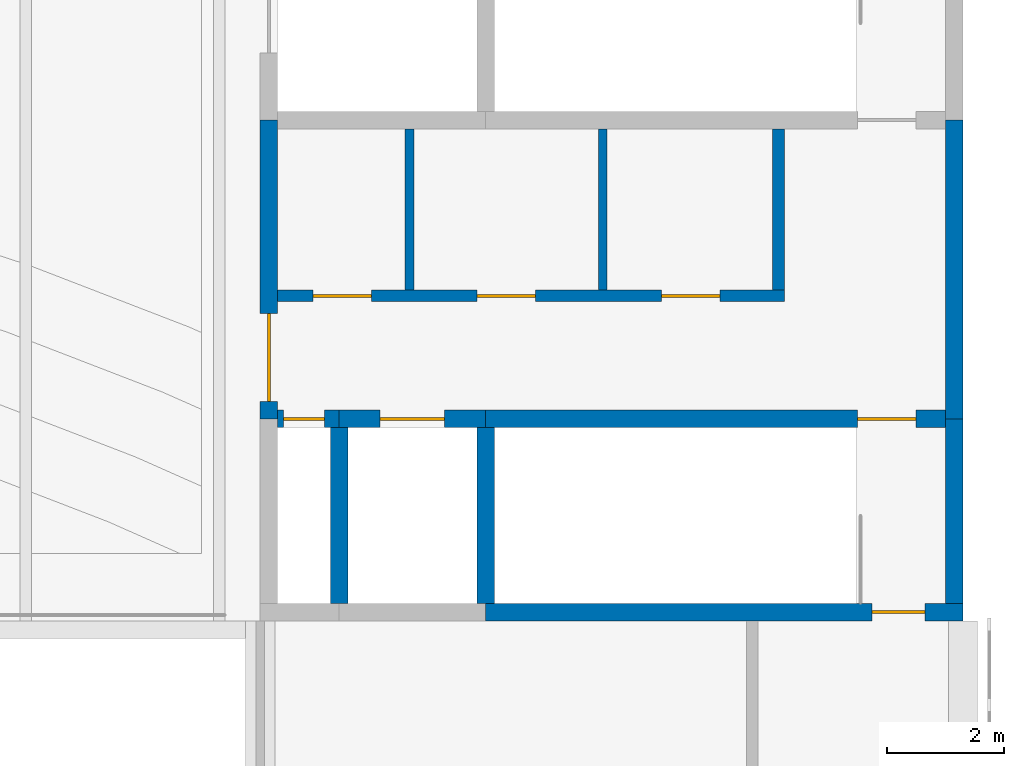
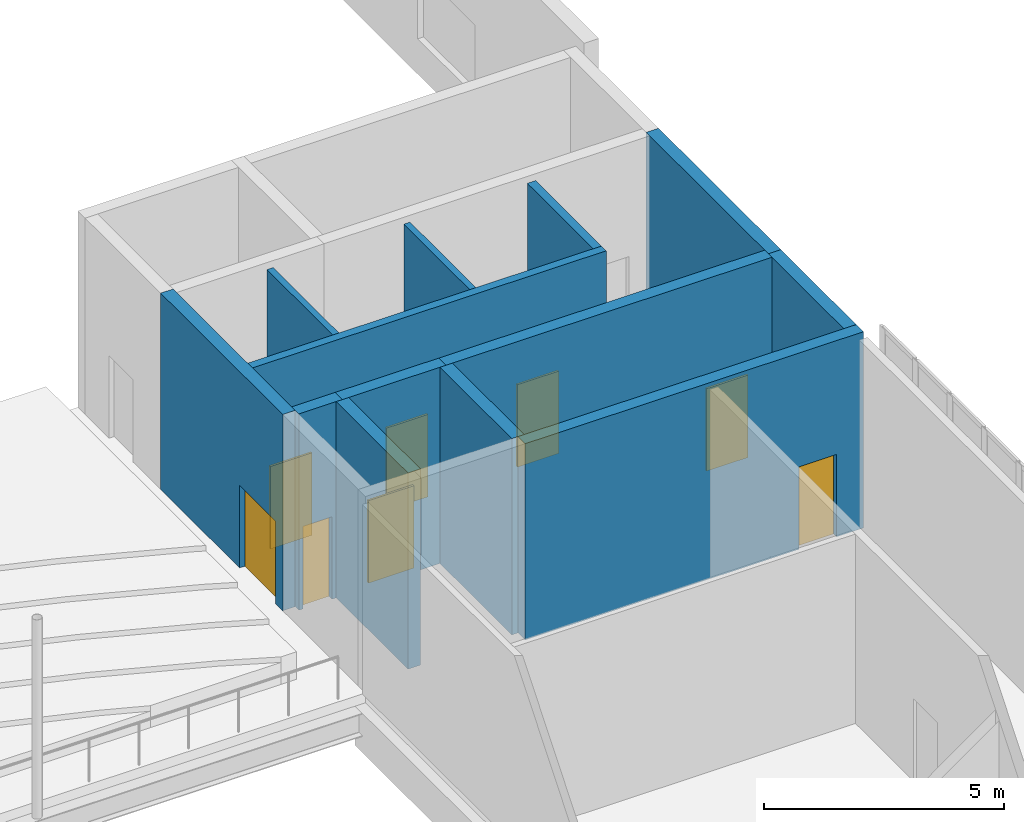
# One storey, part 57 of 69: 13 walls, 8 doors, 8 openings.
"""IFC4 building model written with IfcOpenShell, lengths in metres."""

import ifcopenshell
import ifcopenshell.guid

model = None  # the IFC model being written
_history = None  # IfcOwnerHistory: only IFC2X3 demands one
_inside = {}  # id of a spatial element -> (the spatial element, [elements in it])
_under = {}  # id of a project, library or spatial element -> (it, [spatial elements below it])
_declared = {}  # id of a project -> (the project, [libraries it declares])
_typed = {}  # id of a type object -> (the type object, [elements of that type])
_made_of = {}  # id of a material, layer set ... -> (it, [elements and type objects made of it])


def new_model(schema):
    """Start an empty IFC model of exactly this schema.

    Asked for "IFC4X3", IfcOpenShell would pick the latest addendum, in which some entities
    have other attributes; the version numbers below select the first issue.
    IFC2X3 requires an IfcOwnerHistory on every rooted entity: one is made here for all.
    """
    global model, _history
    if schema == "IFC4X3":
        model = ifcopenshell.file(schema_version=(4, 3, 0, 0))
    else:
        model = ifcopenshell.file(schema=schema)
    _inside.clear()
    _under.clear()
    _declared.clear()
    _typed.clear()
    _made_of.clear()
    _history = None
    if model.schema == "IFC2X3":
        org = make("IfcOrganization", Name="unknown")
        user = make(
            "IfcPersonAndOrganization",
            ThePerson=make("IfcPerson", FamilyName="unknown"),
            TheOrganization=org,
        )
        app = make(
            "IfcApplication",
            ApplicationDeveloper=org,
            Version="unknown",
            ApplicationFullName="unknown",
            ApplicationIdentifier="unknown",
        )
        _history = make(
            "IfcOwnerHistory",
            OwningUser=user,
            OwningApplication=app,
            ChangeAction="ADDED",
            CreationDate=0,
        )
    return model


def make(cls, **values):
    """One entity of the class cls with the attributes given. An attribute that is None is left unset."""
    return model.create_entity(
        cls, **{name: value for name, value in values.items() if value is not None}
    )


def rooted(cls, **values):
    """An entity with a GlobalId (a new one), such as an element, a storey or a relation."""
    return make(cls, GlobalId=ifcopenshell.guid.new(), OwnerHistory=_history, **values)


def si_unit(unit_type, name, prefix=None):
    """IfcSIUnit, for example si_unit("LENGTHUNIT", "METRE", prefix="MILLI")."""
    return make("IfcSIUnit", UnitType=unit_type, Prefix=prefix, Name=name)


def assignment(units):
    """IfcUnitAssignment: the units of a project."""
    return None if units is None else make("IfcUnitAssignment", Units=units)


def point(xyz):
    """IfcCartesianPoint."""
    return None if xyz is None else make("IfcCartesianPoint", Coordinates=xyz)


def direction(xyz):
    """IfcDirection."""
    return None if xyz is None else make("IfcDirection", DirectionRatios=xyz)


def frame(location, z_axis=None, x_axis=None):
    """IfcAxis2Placement3D, a coordinate frame: its origin and axes. An axis left out is left unset."""
    return make(
        "IfcAxis2Placement3D",
        Location=point(location),
        Axis=direction(z_axis),
        RefDirection=direction(x_axis),
    )


def frame_2d(location, x_axis=None):
    """IfcAxis2Placement2D, a coordinate frame in the plane: its origin and x axis."""
    return make(
        "IfcAxis2Placement2D", Location=point(location), RefDirection=direction(x_axis)
    )


def origin():
    """The frame at (0, 0, 0) with its axes left unset."""
    return frame((0.0, 0.0, 0.0))


def place(relative_to, where):
    """IfcLocalPlacement: puts the frame where relative to a parent placement (None: the world)."""
    return make(
        "IfcLocalPlacement", PlacementRelTo=relative_to, RelativePlacement=where
    )


def context(
    kind, dimensions, precision=None, world=None, true_north=None, identifier=None
):
    """IfcGeometricRepresentationContext, for example the 3D "Model" context."""
    return make(
        "IfcGeometricRepresentationContext",
        ContextIdentifier=identifier,
        ContextType=kind,
        CoordinateSpaceDimension=dimensions,
        Precision=precision,
        WorldCoordinateSystem=world,
        TrueNorth=true_north,
    )


def subcontext(parent, identifier, kind, view, scale=None):
    """IfcGeometricRepresentationSubContext, for example "Body" below "Model"."""
    return make(
        "IfcGeometricRepresentationSubContext",
        ContextIdentifier=identifier,
        ContextType=kind,
        ParentContext=parent,
        TargetScale=scale,
        TargetView=view,
    )


def project(units=None, contexts=None):
    """IfcProject with its units and contexts."""
    return rooted(
        "IfcProject",
        Name="project",
        RepresentationContexts=contexts,
        UnitsInContext=assignment(units),
    )


def spatial(cls, under=None, at=None, **own):
    """A site, building, storey or space (cls), placed at a placement, below another one or the project."""
    s = rooted(cls, ObjectPlacement=at, **own)
    if under is not None:
        _under.setdefault(under.id(), (under, []))[1].append(s)
    return s


def profile(cls, at=None, kind="AREA", **sizes):
    """A parametric profile (cls). Its sizes go by their IFC names, for example OverallWidth=200.0."""
    return make(cls, ProfileType=kind, Position=at, **sizes)


def rectangle(**sizes):
    """IfcRectangleProfileDef."""
    return profile("IfcRectangleProfileDef", **sizes)


def extrude(swept, where, along, depth):
    """IfcExtrudedAreaSolid: the profile swept, set in the frame where, extruded along a direction by depth."""
    return make(
        "IfcExtrudedAreaSolid",
        SweptArea=swept,
        Position=where,
        ExtrudedDirection=direction(along),
        Depth=depth,
    )


def shape(context_of_items, identifier, shape_type, items):
    """IfcShapeRepresentation: the items that make up one representation, for example the "Body"."""
    return make(
        "IfcShapeRepresentation",
        ContextOfItems=context_of_items,
        RepresentationIdentifier=identifier,
        RepresentationType=shape_type,
        Items=items,
    )


def material(Name=None, Category=None):
    """IfcMaterial."""
    return make("IfcMaterial", Name=Name, Category=Category)


def layer(
    of_material, thickness, ventilated=None, Name=None, Category=None, Priority=None
):
    """IfcMaterialLayer: one layer of a wall or slab, of a material (None: an air gap)."""
    return make(
        "IfcMaterialLayer",
        Material=of_material,
        LayerThickness=thickness,
        IsVentilated=ventilated,
        Name=Name,
        Category=Category,
        Priority=Priority,
    )


def layer_set(layers, Name=None):
    """IfcMaterialLayerSet."""
    return make("IfcMaterialLayerSet", MaterialLayers=layers, LayerSetName=Name)


def made_of(thing, what):
    """Note that an element or type object is made of a material, layer set ...; save() writes the relation."""
    if what is not None:
        _made_of.setdefault(what.id(), (what, []))[1].append(thing)
    return thing


def type_object(cls, material=None, **own):
    """A type object (cls), such as IfcWallType, which elements share."""
    return made_of(rooted(cls, **own), material)


def element(
    cls,
    number,
    at=None,
    inside=None,
    cuts=None,
    type_object=None,
    material=None,
    context=None,
    identifier="Body",
    shape_type=None,
    held_by="IfcProductDefinitionShape",
    body=None,
    shapes=None,
    **own,
):
    """One element of the class cls, such as IfcWall. Its Tag is "e" and its number.

    at: its placement. inside: the storey or other place that contains it. cuts: it is an
    opening in that element (IfcRelVoidsElement). A single representation is given by context,
    identifier, shape_type and body (its items); several are given by shapes. held_by: the class
    of the entity that holds the representations. save() writes the other relations.
    """
    e = rooted(cls, Tag="e%d" % number, ObjectPlacement=at, **own)
    if body is not None:
        shapes = [shape(context, identifier, shape_type, body)]
    if shapes is not None:
        e.Representation = make(held_by, Representations=shapes)
    if inside is not None:
        _inside.setdefault(inside.id(), (inside, []))[1].append(e)
    if cuts is not None:
        rooted(
            "IfcRelVoidsElement", RelatingBuildingElement=cuts, RelatedOpeningElement=e
        )
    if type_object is not None:
        _typed.setdefault(type_object.id(), (type_object, []))[1].append(e)
    return made_of(e, material)


def fill(opening, filler):
    """IfcRelFillsElement: the door or window that sits in an opening."""
    return rooted(
        "IfcRelFillsElement",
        RelatingOpeningElement=opening,
        RelatedBuildingElement=filler,
    )


def aggregate(whole, parts):
    """IfcRelAggregates: a whole, such as a stair, and the parts it consists of."""
    return rooted("IfcRelAggregates", RelatingObject=whole, RelatedObjects=parts)


def save(model, path):
    """Write the relations noted so far, then the file.

    IfcRelAggregates (storeys below a building ...), IfcRelContainedInSpatialStructure (elements
    in a storey), IfcRelDefinesByType, IfcRelAssociatesMaterial and IfcRelDeclares: one each for
    every whole, place, type object, material and project.
    """
    for whole, parts in _under.values():
        aggregate(whole, parts)
    for where, things in _inside.values():
        rooted(
            "IfcRelContainedInSpatialStructure",
            RelatedElements=things,
            RelatingStructure=where,
        )
    for kind, things in _typed.values():
        rooted("IfcRelDefinesByType", RelatedObjects=things, RelatingType=kind)
    for what, things in _made_of.values():
        rooted("IfcRelAssociatesMaterial", RelatedObjects=things, RelatingMaterial=what)
    for by, libraries in _declared.values():
        rooted("IfcRelDeclares", RelatingContext=by, RelatedDefinitions=libraries)
    model.write(path)


model = new_model("IFC4")

# Units and contexts
model_context = context("Model", 3, precision=1e-05, world=origin(), true_north=direction((0.0, 1.0)))
body_context = subcontext(model_context, "Body", "Model", "MODEL_VIEW")
ifc_project = project(units=[si_unit("LENGTHUNIT", "METRE"), si_unit("AREAUNIT", "SQUARE_METRE"), si_unit("VOLUMEUNIT", "CUBIC_METRE"), si_unit("PLANEANGLEUNIT", "RADIAN"), si_unit("MASSUNIT", "GRAM", prefix="KILO")], contexts=[model_context])

# Site, building, storey
site_placement = place(None, origin())
site = spatial("IfcSite", under=ifc_project, at=site_placement, CompositionType="ELEMENT")
building_placement = place(site_placement, origin())
building = spatial("IfcBuilding", under=site, at=building_placement, Name="Lilac Gate Convention Centre", CompositionType="ELEMENT")
storey_placement = place(building_placement, frame((0.0, 0.0, 12.0)))
storey = spatial("IfcBuildingStorey", under=building, at=storey_placement, Name="L02", CompositionType="ELEMENT", Elevation=12.0)

# Walls
ifc_material_1 = material(Name="Fire-rated gypsum board on steel stud", Category="steel")
ifc_layer_1 = layer(ifc_material_1, 0.14990234375)
ifc_layer_set_1 = layer_set([ifc_layer_1], Name="Fire-rated gypsum board on steel stud")
wall_type_1 = type_object("IfcWallType", Name="Partition 150 fire-rated gypsum board EI 60", PredefinedType="PARTITIONING", material=ifc_layer_set_1)
for number, where, z_axis, x_axis, name in (
    (1, (80.550048828125, 155.64990234375, 0.0), (0.0, 0.0, 1.0), (0.0, 1.0, 0.0), "Partition 150 fire-rated gypsum board EI 60"),
    (2, (83.85009765625, 155.64990234375, 0.0), (0.0, 0.0, 1.0), (0.0, 1.0, 0.0), "Partition 150 fire-rated gypsum board EI 60"),
):
    element("IfcWall", number, at=place(storey_placement, frame(where, z_axis=z_axis, x_axis=x_axis)), inside=storey, type_object=wall_type_1, Name=name, PredefinedType="PARTITIONING", context=body_context, shape_type="SweptSolid", body=[
        extrude(rectangle(XDim=2.75, YDim=0.14990234375, at=frame_2d((1.375, 0.0))), origin(), (0.0, 0.0, 1.0), 4.824951171875),
    ])

# Wall, openings, doors
ifc_material_2 = material(Name="Clay brick masonry", Category="masonry")
ifc_layer_2 = layer(ifc_material_2, 0.199951171875)
ifc_layer_set_2 = layer_set([ifc_layer_2], Name="Clay brick masonry")
wall_type_2 = type_object("IfcWallType", Name="Partition 200 brick EI 60", PredefinedType="PARTITIONING", material=ifc_layer_set_2)
wall_1_placement = place(storey_placement, frame((78.300048828125, 155.550048828125, 0.0), z_axis=(0.0, 0.0, 1.0), x_axis=(1.0, 0.0, 0.0)))
wall_1 = element("IfcWall", 3, at=wall_1_placement, inside=storey, type_object=wall_type_2, Name="Partition 200 brick EI 60", PredefinedType="PARTITIONING", context=body_context, shape_type="SweptSolid", body=[
    extrude(rectangle(XDim=8.64990234375, YDim=0.199951171875, at=frame_2d((4.324951171875, 0.0))), origin(), (0.0, 0.0, 1.0), 4.824951171875),
])
opening_1_placement = place(wall_1_placement, frame((0.60009765625, 0.0, 0.0)))
opening_1 = element("IfcOpeningElement", 4, at=opening_1_placement, cuts=wall_1, Name="Opening L02-063", PredefinedType="OPENING", context=body_context, shape_type="SweptSolid", body=[
    extrude(rectangle(XDim=1.0, YDim=2.10009765625, at=frame_2d((0.5, 1.050048828125))), frame((0.0, 0.10986328125, 0.0), z_axis=(0.0, -1.0, 0.0), x_axis=(1.0, 0.0, 0.0)), (0.0, 0.0, 1.0), 0.219970703125),
])
opening_2_placement = place(wall_1_placement, frame((3.39990234375, 0.0, 0.0)))
opening_2 = element("IfcOpeningElement", 5, at=opening_2_placement, cuts=wall_1, Name="Opening L02-064", PredefinedType="OPENING", context=body_context, shape_type="SweptSolid", body=[
    extrude(rectangle(XDim=1.0, YDim=2.10009765625, at=frame_2d((0.5, 1.050048828125))), frame((0.0, 0.10986328125, 0.0), z_axis=(0.0, -1.0, 0.0), x_axis=(1.0, 0.0, 0.0)), (0.0, 0.0, 1.0), 0.219970703125),
])
opening_3_placement = place(wall_1_placement, frame((6.550048828125, 0.0, 0.0)))
opening_3 = element("IfcOpeningElement", 6, at=opening_3_placement, cuts=wall_1, Name="Opening L02-065", PredefinedType="OPENING", context=body_context, shape_type="SweptSolid", body=[
    extrude(rectangle(XDim=1.0, YDim=2.10009765625, at=frame_2d((0.5, 1.050048828125))), frame((0.0, 0.10986328125, 0.0), z_axis=(0.0, -1.0, 0.0), x_axis=(1.0, 0.0, 0.0)), (0.0, 0.0, 1.0), 0.219970703125),
])
ifc_material_3 = material(Name="Timber fire door leaf", Category="wood")
door_type_1 = type_object("IfcDoorType", Name="Door 1000 x 2100 single leaf FD30", OperationType="SINGLE_SWING_LEFT", PredefinedType="DOOR", material=ifc_material_3)
door_1_placement = place(opening_1_placement, origin())
door_1 = element("IfcDoor", 7, at=door_1_placement, inside=storey, type_object=door_type_1, Name="Accessible WC door L02-063", OperationType="SINGLE_SWING_RIGHT", OverallHeight=2.10009765625, OverallWidth=1.0, PredefinedType="DOOR", context=body_context, shape_type="SweptSolid", body=[
    extrude(rectangle(XDim=1.0, YDim=2.10009765625, at=frame_2d((0.5, 1.050048828125))), frame((0.0, 0.02490234375, 0.0), z_axis=(0.0, -1.0, 0.0), x_axis=(1.0, 0.0, 0.0)), (0.0, 0.0, 1.0), 0.050048828125),
])
fill(opening_1, door_1)
door_2_placement = place(opening_2_placement, origin())
door_2 = element("IfcDoor", 8, at=door_2_placement, inside=storey, type_object=door_type_1, Name="WC door L02-064", OperationType="SINGLE_SWING_LEFT", OverallHeight=2.10009765625, OverallWidth=1.0, PredefinedType="DOOR", context=body_context, shape_type="SweptSolid", body=[
    extrude(rectangle(XDim=1.0, YDim=2.10009765625, at=frame_2d((0.5, 1.050048828125))), frame((0.0, 0.02490234375, 0.0), z_axis=(0.0, -1.0, 0.0), x_axis=(1.0, 0.0, 0.0)), (0.0, 0.0, 1.0), 0.050048828125),
])
fill(opening_2, door_2)
door_3_placement = place(opening_3_placement, origin())
door_3 = element("IfcDoor", 9, at=door_3_placement, inside=storey, type_object=door_type_1, Name="WC door L02-065", OperationType="SINGLE_SWING_RIGHT", OverallHeight=2.10009765625, OverallWidth=1.0, PredefinedType="DOOR", context=body_context, shape_type="SweptSolid", body=[
    extrude(rectangle(XDim=1.0, YDim=2.10009765625, at=frame_2d((0.5, 1.050048828125))), frame((0.0, 0.02490234375, 0.0), z_axis=(0.0, -1.0, 0.0), x_axis=(1.0, 0.0, 0.0)), (0.0, 0.0, 1.0), 0.050048828125),
])
fill(opening_3, door_3)

# Wall
wall_2_placement = place(storey_placement, frame((86.85009765625, 155.64990234375, 0.0), z_axis=(0.0, 0.0, 1.0), x_axis=(0.0, 1.0, 0.0)))
element("IfcWall", 10, at=wall_2_placement, inside=storey, type_object=wall_type_2, Name="Partition 200 brick EI 60", PredefinedType="PARTITIONING", context=body_context, shape_type="SweptSolid", body=[
    extrude(rectangle(XDim=2.75, YDim=0.199951171875, at=frame_2d((1.375, 0.0))), origin(), (0.0, 0.0, 1.0), 4.824951171875),
])

# Wall, opening, door
ifc_material_4 = material(Name="Concrete C40", Category="concrete")
ifc_layer_3 = layer(ifc_material_4, 0.300048828125)
ifc_layer_set_3 = layer_set([ifc_layer_3], Name="Concrete C40")
wall_type_3 = type_object("IfcWallType", Name="Shear wall 300 C40", PredefinedType="SHEAR", material=ifc_layer_set_3)
wall_3_placement = place(storey_placement, frame((90.0, 150.14990234375, 0.0), z_axis=(0.0, 0.0, 1.0), x_axis=(-1.0, 0.0, 0.0)))
wall_3 = element("IfcWall", 11, at=wall_3_placement, inside=storey, type_object=wall_type_3, Name="SW1 shear wall E2 L02 1", PredefinedType="SHEAR", context=body_context, shape_type="SweptSolid", body=[
    extrude(rectangle(XDim=8.14990234375, YDim=0.300048828125, at=frame_2d((4.074951171875, 0.0))), origin(), (0.0, 0.0, 1.0), 5.0),
])
opening_4_placement = place(wall_3_placement, frame((0.64990234375, 0.0, 0.0)))
opening_4 = element("IfcOpeningElement", 12, at=opening_4_placement, cuts=wall_3, Name="Opening L02-052", PredefinedType="OPENING", context=body_context, shape_type="SweptSolid", body=[
    extrude(rectangle(XDim=0.89990234375, YDim=2.10009765625, at=frame_2d((0.449951171875, 1.050048828125))), frame((0.0, 0.159912109375, 0.0), z_axis=(0.0, -1.0, 0.0), x_axis=(1.0, 0.0, 0.0)), (0.0, 0.0, 1.0), 0.320068359375),
])
door_type_2 = type_object("IfcDoorType", Name="Door 900 x 2100 single leaf FD60", OperationType="SINGLE_SWING_LEFT", PredefinedType="DOOR", material=ifc_material_3)
door_4_placement = place(opening_4_placement, frame((0.89990234375, 0.0, 0.0), z_axis=(0.0, 0.0, 1.0), x_axis=(-1.0, 0.0, 0.0)))
door_4 = element("IfcDoor", 13, at=door_4_placement, inside=storey, type_object=door_type_2, Name="Stair door L02-052", OperationType="SINGLE_SWING_LEFT", OverallHeight=2.10009765625, OverallWidth=0.89990234375, PredefinedType="DOOR", context=body_context, shape_type="SweptSolid", body=[
    extrude(rectangle(XDim=0.89990234375, YDim=2.10009765625, at=frame_2d((0.449951171875, 1.050048828125))), frame((0.0, 0.02490234375, 0.0), z_axis=(0.0, -1.0, 0.0), x_axis=(1.0, 0.0, 0.0)), (0.0, 0.0, 1.0), 0.050048828125),
])
fill(opening_4, door_4)

wall_4_placement = place(storey_placement, frame((89.699951171875, 153.449951171875, 0.0), z_axis=(0.0, 0.0, 1.0), x_axis=(-1.0, 0.0, 0.0)))
wall_4 = element("IfcWall", 14, at=wall_4_placement, inside=storey, type_object=wall_type_3, Name="SW1 shear wall E2 L02 6", PredefinedType="SHEAR", context=body_context, shape_type="SweptSolid", body=[
    extrude(rectangle(XDim=7.849853515625, YDim=0.300048828125, at=frame_2d((3.9248046875, 0.0))), origin(), (0.0, 0.0, 1.0), 5.0),
])
opening_5_placement = place(wall_4_placement, frame((0.5, 0.0, 0.0)))
opening_5 = element("IfcOpeningElement", 15, at=opening_5_placement, cuts=wall_4, Name="Opening L02-057", PredefinedType="OPENING", context=body_context, shape_type="SweptSolid", body=[
    extrude(rectangle(XDim=1.0, YDim=2.10009765625, at=frame_2d((0.5, 1.050048828125))), frame((0.0, 0.159912109375, 0.0), z_axis=(0.0, -1.0, 0.0), x_axis=(1.0, 0.0, 0.0)), (0.0, 0.0, 1.0), 0.320068359375),
])
door_type_3 = type_object("IfcDoorType", Name="Door 1000 x 2100 single leaf FD60", OperationType="SINGLE_SWING_LEFT", PredefinedType="DOOR", material=ifc_material_3)
door_5_placement = place(opening_5_placement, origin())
door_5 = element("IfcDoor", 16, at=door_5_placement, inside=storey, type_object=door_type_3, Name="Stair door L02-057", OperationType="SINGLE_SWING_RIGHT", OverallHeight=2.10009765625, OverallWidth=1.0, PredefinedType="DOOR", context=body_context, shape_type="SweptSolid", body=[
    extrude(rectangle(XDim=1.0, YDim=2.10009765625, at=frame_2d((0.5, 1.050048828125))), frame((0.0, 0.02490234375, 0.0), z_axis=(0.0, -1.0, 0.0), x_axis=(1.0, 0.0, 0.0)), (0.0, 0.0, 1.0), 0.050048828125),
])
fill(opening_5, door_5)

wall_5_placement = place(storey_placement, frame((81.85009765625, 153.449951171875, 0.0), z_axis=(0.0, 0.0, 1.0), x_axis=(-1.0, 0.0, 0.0)))
wall_5 = element("IfcWall", 17, at=wall_5_placement, inside=storey, type_object=wall_type_3, Name="SW1 shear wall E2 L02 7", PredefinedType="SHEAR", context=body_context, shape_type="SweptSolid", body=[
    extrude(rectangle(XDim=2.5, YDim=0.300048828125, at=frame_2d((1.25, 0.0))), origin(), (0.0, 0.0, 1.0), 5.0),
])
opening_6_placement = place(wall_5_placement, frame((0.699951171875, 0.0, 0.0)))
opening_6 = element("IfcOpeningElement", 18, at=opening_6_placement, cuts=wall_5, Name="Opening LDE2-02", PredefinedType="OPENING", context=body_context, shape_type="SweptSolid", body=[
    extrude(rectangle(XDim=1.10009765625, YDim=2.10009765625, at=frame_2d((0.550048828125, 1.050048828125))), frame((0.0, 0.159912109375, 0.0), z_axis=(0.0, -1.0, 0.0), x_axis=(1.0, 0.0, 0.0)), (0.0, 0.0, 1.0), 0.320068359375),
])
ifc_material_5 = material(Name="Stainless steel 304", Category="steel")
door_type_4 = type_object("IfcDoorType", Name="Lift landing door 1100 x 2100", OperationType="SLIDING_TO_LEFT", PredefinedType="DOOR", material=ifc_material_5)
door_6_placement = place(opening_6_placement, origin())
door_6 = element("IfcDoor", 19, at=door_6_placement, inside=storey, type_object=door_type_4, Name="Lift landing door LDE2-02", OperationType="SLIDING_TO_LEFT", OverallHeight=2.10009765625, OverallWidth=1.10009765625, PredefinedType="DOOR", context=body_context, shape_type="SweptSolid", body=[
    extrude(rectangle(XDim=1.10009765625, YDim=2.10009765625, at=frame_2d((0.550048828125, 1.050048828125))), frame((0.0, 0.02490234375, 0.0), z_axis=(0.0, -1.0, 0.0), x_axis=(1.0, 0.0, 0.0)), (0.0, 0.0, 1.0), 0.050048828125),
])
fill(opening_6, door_6)

wall_6_placement = place(storey_placement, frame((79.35009765625, 153.449951171875, 0.0), z_axis=(0.0, 0.0, 1.0), x_axis=(-1.0, 0.0, 0.0)))
wall_6 = element("IfcWall", 20, at=wall_6_placement, inside=storey, type_object=wall_type_3, Name="SW1 shear wall E2 L02 8", PredefinedType="SHEAR", context=body_context, shape_type="SweptSolid", body=[
    extrude(rectangle(XDim=1.050048828125, YDim=0.300048828125, at=frame_2d((0.52490234375, 0.0))), origin(), (0.0, 0.0, 1.0), 5.0),
])
opening_7_placement = place(wall_6_placement, frame((0.25, 0.0, 0.0)))
opening_7 = element("IfcOpeningElement", 21, at=opening_7_placement, cuts=wall_6, Name="Opening L02-056", PredefinedType="OPENING", context=body_context, shape_type="SweptSolid", body=[
    extrude(rectangle(XDim=0.699951171875, YDim=2.10009765625, at=frame_2d((0.35009765625, 1.050048828125))), frame((0.0, 0.159912109375, 0.0), z_axis=(0.0, -1.0, 0.0), x_axis=(1.0, 0.0, 0.0)), (0.0, 0.0, 1.0), 0.320068359375),
])
door_type_5 = type_object("IfcDoorType", Name="Door 700 x 2100 single leaf FD30", OperationType="SINGLE_SWING_LEFT", PredefinedType="DOOR", material=ifc_material_3)
door_7_placement = place(opening_7_placement, origin())
door_7 = element("IfcDoor", 22, at=door_7_placement, inside=storey, type_object=door_type_5, Name="Riser access door L02-056", OperationType="SINGLE_SWING_LEFT", OverallHeight=2.10009765625, OverallWidth=0.699951171875, PredefinedType="DOOR", context=body_context, shape_type="SweptSolid", body=[
    extrude(rectangle(XDim=0.699951171875, YDim=2.10009765625, at=frame_2d((0.35009765625, 1.050048828125))), frame((0.0, 0.02490234375, 0.0), z_axis=(0.0, -1.0, 0.0), x_axis=(1.0, 0.0, 0.0)), (0.0, 0.0, 1.0), 0.050048828125),
])
fill(opening_7, door_7)

# Walls
wall_7_placement = place(storey_placement, frame((89.85009765625, 150.300048828125, 0.0), z_axis=(0.0, 0.0, 1.0), x_axis=(0.0, 1.0, 0.0)))
element("IfcWall", 23, at=wall_7_placement, inside=storey, type_object=wall_type_3, Name="SW1 shear wall E2 L02 11", PredefinedType="SHEAR", context=body_context, shape_type="SweptSolid", body=[
    extrude(rectangle(XDim=3.14990234375, YDim=0.300048828125, at=frame_2d((1.574951171875, 0.0))), origin(), (0.0, 0.0, 1.0), 5.0),
])
wall_8_placement = place(storey_placement, frame((89.85009765625, 153.449951171875, 0.0), z_axis=(0.0, 0.0, 1.0), x_axis=(0.0, 1.0, 0.0)))
element("IfcWall", 24, at=wall_8_placement, inside=storey, type_object=wall_type_3, Name="SW1 shear wall E2 L02 12", PredefinedType="SHEAR", context=body_context, shape_type="SweptSolid", body=[
    extrude(rectangle(XDim=5.10009765625, YDim=0.300048828125, at=frame_2d((2.550048828125, 0.0))), origin(), (0.0, 0.0, 1.0), 5.0),
])

# Wall, opening, door
wall_9_placement = place(storey_placement, frame((78.14990234375, 153.449951171875, 0.0), z_axis=(0.0, 0.0, 1.0), x_axis=(0.0, 1.0, 0.0)))
wall_9 = element("IfcWall", 25, at=wall_9_placement, inside=storey, type_object=wall_type_3, Name="SW1 shear wall E2 L02 15", PredefinedType="SHEAR", context=body_context, shape_type="SweptSolid", body=[
    extrude(rectangle(XDim=5.10009765625, YDim=0.300048828125, at=frame_2d((2.550048828125, 0.0))), origin(), (0.0, 0.0, 1.0), 5.0),
])
opening_8_placement = place(wall_9_placement, frame((0.300048828125, 0.0, 0.0)))
opening_8 = element("IfcOpeningElement", 26, at=opening_8_placement, cuts=wall_9, Name="Opening L02-059", PredefinedType="OPENING", context=body_context, shape_type="SweptSolid", body=[
    extrude(rectangle(XDim=1.5, YDim=2.10009765625, at=frame_2d((0.75, 1.050048828125))), frame((0.0, 0.159912109375, 0.0), z_axis=(0.0, -1.0, 0.0), x_axis=(1.0, 0.0, 0.0)), (0.0, 0.0, 1.0), 0.320068359375),
])
door_type_6 = type_object("IfcDoorType", Name="Door 1500 x 2100 double leaf FD30", OperationType="DOUBLE_DOOR_SINGLE_SWING", PredefinedType="DOOR", material=ifc_material_3)
door_8_placement = place(opening_8_placement, frame((1.5, 0.0, 0.0), z_axis=(0.0, 0.0, 1.0), x_axis=(-1.0, 0.0, 0.0)))
door_8 = element("IfcDoor", 27, at=door_8_placement, inside=storey, type_object=door_type_6, Name="Lobby door L02-059", OperationType="DOUBLE_DOOR_SINGLE_SWING", OverallHeight=2.10009765625, OverallWidth=1.5, PredefinedType="DOOR", context=body_context, shape_type="SweptSolid", body=[
    extrude(rectangle(XDim=1.5, YDim=2.10009765625, at=frame_2d((0.75, 1.050048828125))), frame((0.0, 0.02490234375, 0.0), z_axis=(0.0, -1.0, 0.0), x_axis=(1.0, 0.0, 0.0)), (0.0, 0.0, 1.0), 0.050048828125),
])
fill(opening_8, door_8)

# Walls
for number, where, z_axis, x_axis, name in (
    (28, (81.85009765625, 150.300048828125, 0.0), (0.0, 0.0, 1.0), (0.0, 1.0, 0.0), "SW1 shear wall E2 L02 17"),
    (29, (79.35009765625, 150.300048828125, 0.0), (0.0, 0.0, 1.0), (0.0, 1.0, 0.0), "SW1 shear wall E2 L02 19"),
):
    element("IfcWall", number, at=place(storey_placement, frame(where, z_axis=z_axis, x_axis=x_axis)), inside=storey, type_object=wall_type_3, Name=name, PredefinedType="SHEAR", context=body_context, shape_type="SweptSolid", body=[
        extrude(rectangle(XDim=3.0, YDim=0.300048828125, at=frame_2d((1.5, 0.0))), origin(), (0.0, 0.0, 1.0), 5.0),
    ])

save(model, "model.ifc")
